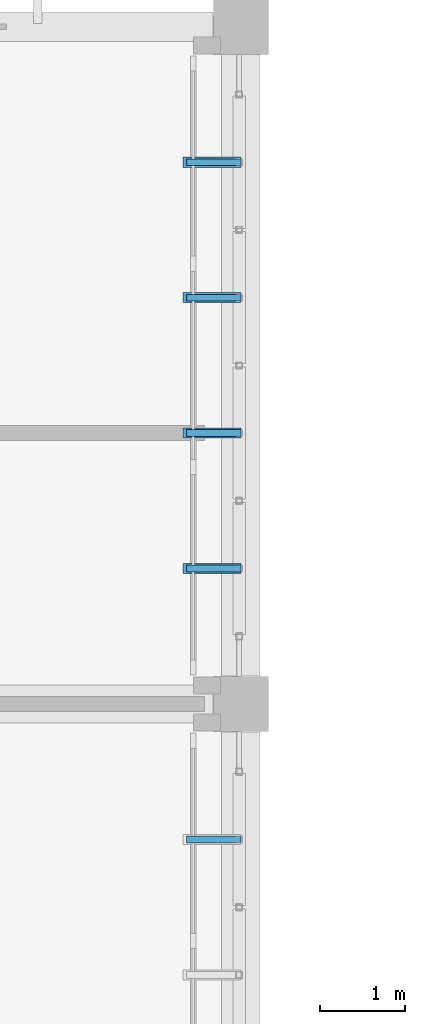
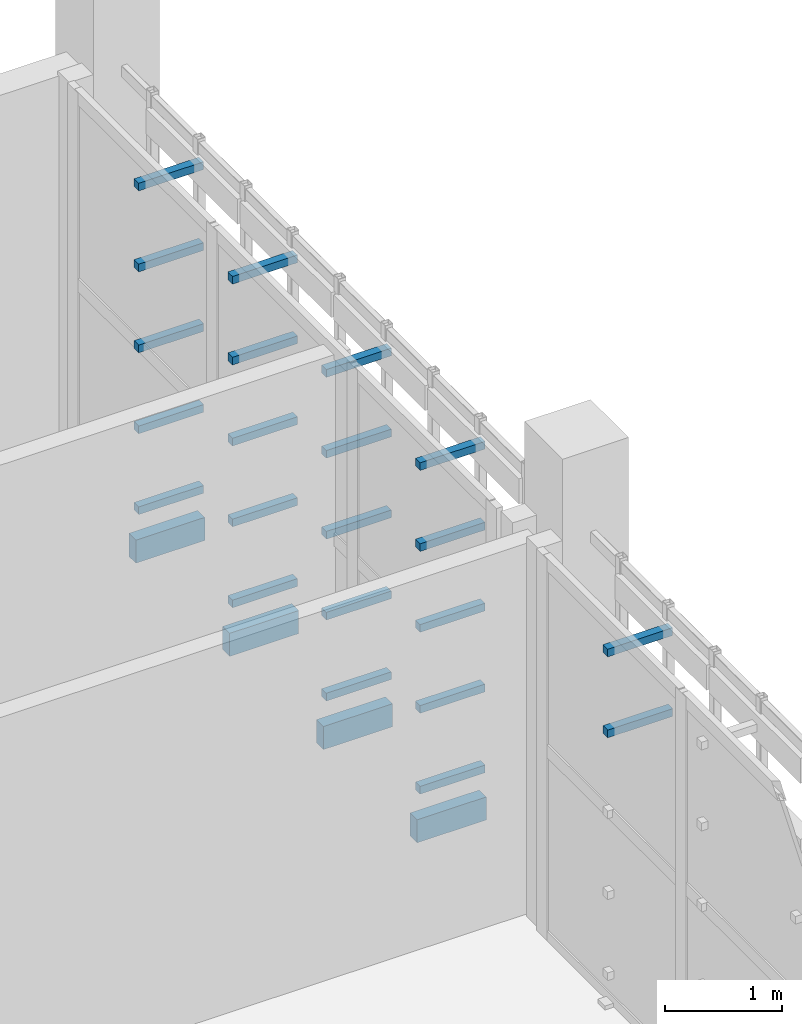
# One storey, part 97 of 106: 26 discrete accessories.
"""IFC4 building model written with IfcOpenShell, lengths in metres."""

from ifc_helpers import new_model, si_unit, direction, frame, origin, origin_2d, place, context, subcontext, project, spatial, rectangle, extrude, material, type_object, element, save


model = new_model("IFC4")

# Units and contexts
model_context = context("Model", 3, precision=1e-05, world=origin(), true_north=direction((0.0, 1.0)))
body_context = subcontext(model_context, "Body", "Model", "MODEL_VIEW")
ifc_project = project(units=[si_unit("LENGTHUNIT", "METRE"), si_unit("AREAUNIT", "SQUARE_METRE"), si_unit("VOLUMEUNIT", "CUBIC_METRE"), si_unit("PLANEANGLEUNIT", "RADIAN"), si_unit("MASSUNIT", "GRAM", prefix="KILO")], contexts=[model_context])

# Site, building, storey
site_placement = place(None, origin())
site = spatial("IfcSite", under=ifc_project, at=site_placement, CompositionType="ELEMENT")
building_placement = place(site_placement, origin())
building = spatial("IfcBuilding", under=site, at=building_placement, Name="Jelvoka-Kovrelna Polytechnic", CompositionType="ELEMENT")
storey_placement = place(building_placement, frame((0.0, 0.0, 4.800048828125)))
storey = spatial("IfcBuildingStorey", under=building, at=storey_placement, Name="L02", CompositionType="ELEMENT", Elevation=4.800048828125)

# Discrete accessories
ifc_material = material(Name="Structural steel S355JR", Category="steel")
discrete_accessory_type = type_object("IfcDiscreteAccessoryType", Name="Bracket_Outrigger_S355", PredefinedType="BRACKET", material=ifc_material)
for number, where, z_axis, x_axis, name in (
    (1, (191.679931640625, 62.39990234375, 2.807373046875), (0.0, 0.0, 1.0), (1.0, 0.0, 0.0), "L02 screen outrigger tie bracket BRKM-PLT-SCR-1019"),
    (2, (191.679931640625, 62.39990234375, 3.64990234375), (0.0, 0.0, 1.0), (1.0, 0.0, 0.0), "L02 screen outrigger tie bracket BRKM-PLT-SCR-1020"),
    (3, (191.679931640625, 65.60009765625, 0.280029296875), (0.0, 0.0, 1.0), (1.0, 0.0, 0.0), "L02 screen outrigger tie bracket BRKM-PLT-SCR-1021"),
):
    element("IfcDiscreteAccessory", number, at=place(storey_placement, frame(where, z_axis=z_axis, x_axis=x_axis)), inside=storey, type_object=discrete_accessory_type, Name=name, PredefinedType="BRACKET", context=body_context, shape_type="SweptSolid", body=[
        extrude(rectangle(XDim=0.639892578125, YDim=0.080078125, at=origin_2d()), origin(), (0.0, 0.0, 1.0), 0.080078125),
    ])
discrete_accessory_1_placement = place(storey_placement, frame((191.659912109375, 65.60009765625, -0.199951171875), z_axis=(0.0, 0.0, 1.0), x_axis=(1.0, 0.0, 0.0)))
element("IfcDiscreteAccessory", 4, at=discrete_accessory_1_placement, inside=storey, type_object=discrete_accessory_type, Name="L02 screen outrigger tie bracket BRK-PLT-SCR-1021", PredefinedType="BRACKET", context=body_context, shape_type="SweptSolid", body=[
    extrude(rectangle(XDim=0.679931640625, YDim=0.1201171875, at=origin_2d()), origin(), (0.0, 0.0, 1.0), 0.239990234375),
])
for number, where, z_axis, x_axis, name in (
    (5, (191.679931640625, 65.60009765625, 1.122314453125), (0.0, 0.0, 1.0), (1.0, 0.0, 0.0), "L02 screen outrigger tie bracket BRKM-PLT-SCR-1022"),
    (6, (191.679931640625, 65.60009765625, 1.96484375), (0.0, 0.0, 1.0), (1.0, 0.0, 0.0), "L02 screen outrigger tie bracket BRKM-PLT-SCR-1023"),
    (7, (191.679931640625, 65.60009765625, 2.807373046875), (0.0, 0.0, 1.0), (1.0, 0.0, 0.0), "L02 screen outrigger tie bracket BRKM-PLT-SCR-1024"),
    (8, (191.679931640625, 65.60009765625, 3.64990234375), (0.0, 0.0, 1.0), (1.0, 0.0, 0.0), "L02 screen outrigger tie bracket BRKM-PLT-SCR-1025"),
    (9, (191.679931640625, 67.199951171875, 0.280029296875), (0.0, 0.0, 1.0), (1.0, 0.0, 0.0), "L02 screen outrigger tie bracket BRKM-PLT-SCR-1026"),
):
    element("IfcDiscreteAccessory", number, at=place(storey_placement, frame(where, z_axis=z_axis, x_axis=x_axis)), inside=storey, type_object=discrete_accessory_type, Name=name, PredefinedType="BRACKET", context=body_context, shape_type="SweptSolid", body=[
        extrude(rectangle(XDim=0.639892578125, YDim=0.080078125, at=origin_2d()), origin(), (0.0, 0.0, 1.0), 0.080078125),
    ])
discrete_accessory_2_placement = place(storey_placement, frame((191.659912109375, 67.199951171875, -0.199951171875), z_axis=(0.0, 0.0, 1.0), x_axis=(1.0, 0.0, 0.0)))
element("IfcDiscreteAccessory", 10, at=discrete_accessory_2_placement, inside=storey, type_object=discrete_accessory_type, Name="L02 screen outrigger tie bracket BRK-PLT-SCR-1026", PredefinedType="BRACKET", context=body_context, shape_type="SweptSolid", body=[
    extrude(rectangle(XDim=0.679931640625, YDim=0.1201171875, at=origin_2d()), origin(), (0.0, 0.0, 1.0), 0.239990234375),
])
for number, where, z_axis, x_axis, name in (
    (11, (191.679931640625, 67.199951171875, 1.122314453125), (0.0, 0.0, 1.0), (1.0, 0.0, 0.0), "L02 screen outrigger tie bracket BRKM-PLT-SCR-1027"),
    (12, (191.679931640625, 67.199951171875, 1.96484375), (0.0, 0.0, 1.0), (1.0, 0.0, 0.0), "L02 screen outrigger tie bracket BRKM-PLT-SCR-1028"),
    (13, (191.679931640625, 67.199951171875, 2.807373046875), (0.0, 0.0, 1.0), (1.0, 0.0, 0.0), "L02 screen outrigger tie bracket BRKM-PLT-SCR-1029"),
    (14, (191.679931640625, 67.199951171875, 3.64990234375), (0.0, 0.0, 1.0), (1.0, 0.0, 0.0), "L02 screen outrigger tie bracket BRKM-PLT-SCR-1030"),
    (15, (191.679931640625, 68.800048828125, 0.280029296875), (0.0, 0.0, 1.0), (1.0, 0.0, 0.0), "L02 screen outrigger tie bracket BRKM-PLT-SCR-1031"),
):
    element("IfcDiscreteAccessory", number, at=place(storey_placement, frame(where, z_axis=z_axis, x_axis=x_axis)), inside=storey, type_object=discrete_accessory_type, Name=name, PredefinedType="BRACKET", context=body_context, shape_type="SweptSolid", body=[
        extrude(rectangle(XDim=0.639892578125, YDim=0.080078125, at=origin_2d()), origin(), (0.0, 0.0, 1.0), 0.080078125),
    ])
discrete_accessory_3_placement = place(storey_placement, frame((191.659912109375, 68.800048828125, -0.199951171875), z_axis=(0.0, 0.0, 1.0), x_axis=(1.0, 0.0, 0.0)))
element("IfcDiscreteAccessory", 16, at=discrete_accessory_3_placement, inside=storey, type_object=discrete_accessory_type, Name="L02 screen outrigger tie bracket BRK-PLT-SCR-1031", PredefinedType="BRACKET", context=body_context, shape_type="SweptSolid", body=[
    extrude(rectangle(XDim=0.679931640625, YDim=0.1201171875, at=origin_2d()), origin(), (0.0, 0.0, 1.0), 0.239990234375),
])
for number, where, z_axis, x_axis, name in (
    (17, (191.679931640625, 68.800048828125, 1.122314453125), (0.0, 0.0, 1.0), (1.0, 0.0, 0.0), "L02 screen outrigger tie bracket BRKM-PLT-SCR-1032"),
    (18, (191.679931640625, 68.800048828125, 1.96484375), (0.0, 0.0, 1.0), (1.0, 0.0, 0.0), "L02 screen outrigger tie bracket BRKM-PLT-SCR-1033"),
    (19, (191.679931640625, 68.800048828125, 2.807373046875), (0.0, 0.0, 1.0), (1.0, 0.0, 0.0), "L02 screen outrigger tie bracket BRKM-PLT-SCR-1034"),
    (20, (191.679931640625, 68.800048828125, 3.64990234375), (0.0, 0.0, 1.0), (1.0, 0.0, 0.0), "L02 screen outrigger tie bracket BRKM-PLT-SCR-1035"),
    (21, (191.679931640625, 70.39990234375, 0.280029296875), (0.0, 0.0, 1.0), (1.0, 0.0, 0.0), "L02 screen outrigger tie bracket BRKM-PLT-SCR-1036"),
):
    element("IfcDiscreteAccessory", number, at=place(storey_placement, frame(where, z_axis=z_axis, x_axis=x_axis)), inside=storey, type_object=discrete_accessory_type, Name=name, PredefinedType="BRACKET", context=body_context, shape_type="SweptSolid", body=[
        extrude(rectangle(XDim=0.639892578125, YDim=0.080078125, at=origin_2d()), origin(), (0.0, 0.0, 1.0), 0.080078125),
    ])
discrete_accessory_4_placement = place(storey_placement, frame((191.659912109375, 70.39990234375, -0.199951171875), z_axis=(0.0, 0.0, 1.0), x_axis=(1.0, 0.0, 0.0)))
element("IfcDiscreteAccessory", 22, at=discrete_accessory_4_placement, inside=storey, type_object=discrete_accessory_type, Name="L02 screen outrigger tie bracket BRK-PLT-SCR-1036", PredefinedType="BRACKET", context=body_context, shape_type="SweptSolid", body=[
    extrude(rectangle(XDim=0.679931640625, YDim=0.1201171875, at=origin_2d()), origin(), (0.0, 0.0, 1.0), 0.239990234375),
])
for number, where, z_axis, x_axis, name in (
    (23, (191.679931640625, 70.39990234375, 1.122314453125), (0.0, 0.0, 1.0), (1.0, 0.0, 0.0), "L02 screen outrigger tie bracket BRKM-PLT-SCR-1037"),
    (24, (191.679931640625, 70.39990234375, 1.96484375), (0.0, 0.0, 1.0), (1.0, 0.0, 0.0), "L02 screen outrigger tie bracket BRKM-PLT-SCR-1038"),
    (25, (191.679931640625, 70.39990234375, 2.807373046875), (0.0, 0.0, 1.0), (1.0, 0.0, 0.0), "L02 screen outrigger tie bracket BRKM-PLT-SCR-1039"),
    (26, (191.679931640625, 70.39990234375, 3.64990234375), (0.0, 0.0, 1.0), (1.0, 0.0, 0.0), "L02 screen outrigger tie bracket BRKM-PLT-SCR-1040"),
):
    element("IfcDiscreteAccessory", number, at=place(storey_placement, frame(where, z_axis=z_axis, x_axis=x_axis)), inside=storey, type_object=discrete_accessory_type, Name=name, PredefinedType="BRACKET", context=body_context, shape_type="SweptSolid", body=[
        extrude(rectangle(XDim=0.639892578125, YDim=0.080078125, at=origin_2d()), origin(), (0.0, 0.0, 1.0), 0.080078125),
    ])

save(model, "model.ifc")
